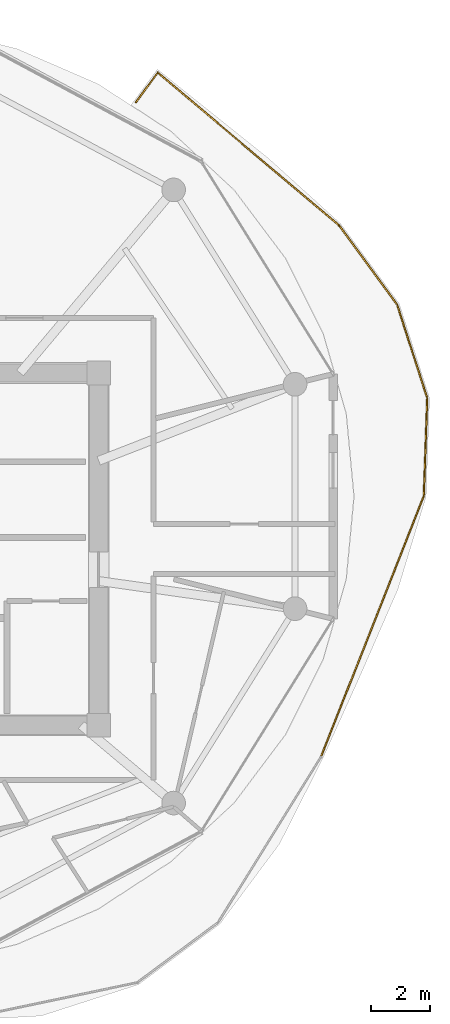
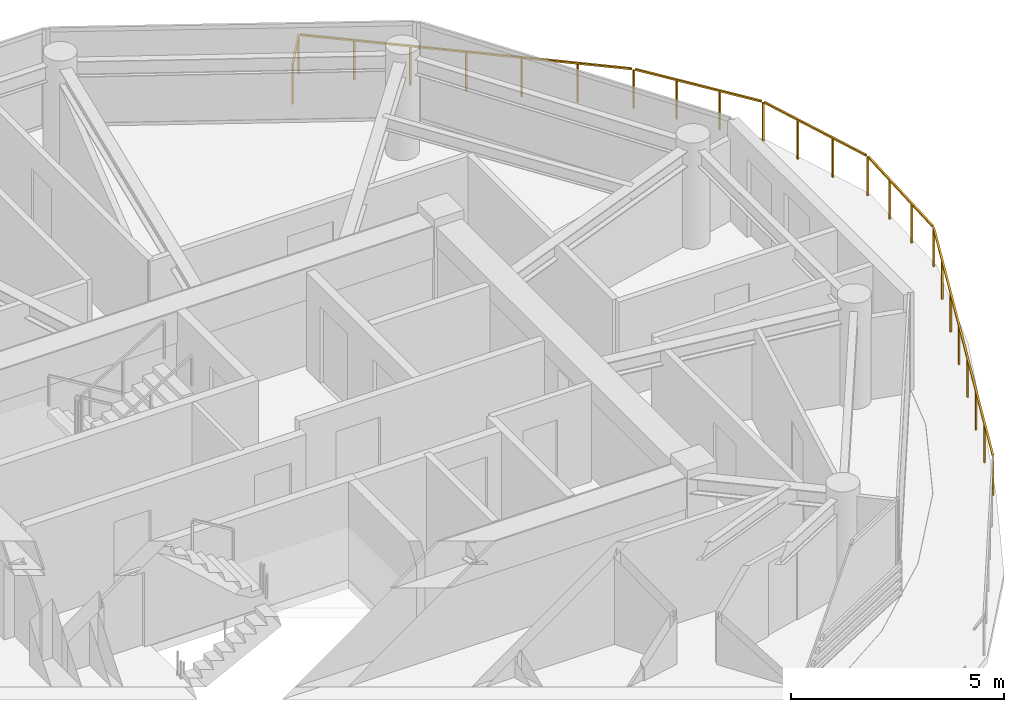
# One storey, part 23 of 23: 1 railing.
"""IFC4 building model written with IfcOpenShell, lengths in metres."""

from ifc_helpers import new_model, si_unit, direction, frame, origin, origin_2d, place, context, subcontext, project, spatial, rectangle, extrude, material, type_object, element, save


model = new_model("IFC4")

# Units and contexts
model_context = context("Model", 3, precision=1e-05, world=origin(), true_north=direction((0.0, 1.0)))
body_context = subcontext(model_context, "Body", "Model", "MODEL_VIEW")
ifc_project = project(units=[si_unit("LENGTHUNIT", "METRE"), si_unit("AREAUNIT", "SQUARE_METRE"), si_unit("VOLUMEUNIT", "CUBIC_METRE"), si_unit("PLANEANGLEUNIT", "RADIAN"), si_unit("MASSUNIT", "GRAM", prefix="KILO")], contexts=[model_context])

# Site, building, storey
site_placement = place(None, origin())
site = spatial("IfcSite", under=ifc_project, at=site_placement, CompositionType="ELEMENT")
building_placement = place(site_placement, origin())
building = spatial("IfcBuilding", under=site, at=building_placement, Name="Norrkilde Senior Care Towers", CompositionType="ELEMENT")
storey_placement = place(building_placement, frame((0.0, 0.0, 158.699951171875)))
storey = spatial("IfcBuildingStorey", under=building, at=storey_placement, Name="L49", CompositionType="ELEMENT", Elevation=158.699951171875)

# Railing
ifc_material = material(Name="Anodised Aluminium", Category="aluminium")
railing_type = type_object("IfcRailingType", Name="Balcony Swirl Ribbon Guardrail 1150", PredefinedType="GUARDRAIL", material=ifc_material)
railing_placement = place(storey_placement, frame((36.90869140625, 15.0966796875, 0.0)))
element("IfcRailing", 1, at=railing_placement, inside=storey, type_object=railing_type, Name="L49 Perimeter Safety Guard 02", PredefinedType="GUARDRAIL", context=body_context, shape_type="SweptSolid", body=[
    extrude(rectangle(XDim=0.048095703125, YDim=0.048095703125, at=origin_2d()), frame((0.0, 0.0, 1.1259765625), z_axis=(0.593861368249, 0.804567383941, 0.0), x_axis=(-0.804567383941, 0.593861368249, 0.0)), (0.0, 0.0, 1.0), 1.20361328125),
    extrude(rectangle(XDim=0.048095703125, YDim=0.048095703125, at=origin_2d()), frame((0.770263671875, 0.974853515625, 1.1259765625), z_axis=(0.764538814851, -0.64457769166, 0.0), x_axis=(0.64457769166, 0.764538814851, 0.0)), (0.0, 0.0, 1.0), 7.9287109375),
    extrude(rectangle(XDim=0.048095703125, YDim=0.048095703125, at=origin_2d()), frame((6.887451171875, -4.195068359375, 1.1259765625), z_axis=(0.591067517742, -0.806622085905, 0.0), x_axis=(0.806622085905, 0.591067517742, 0.0)), (0.0, 0.0, 1.0), 3.242431640625),
    extrude(rectangle(XDim=0.048095703125, YDim=0.048095703125, at=origin_2d()), frame((8.840576171875, -6.88232421875, 1.1259765625), z_axis=(0.305811477644, -0.952092085957, 0.0), x_axis=(0.952092085957, 0.305811477644, 0.0)), (0.0, 0.0, 1.0), 3.236083984375),
    extrude(rectangle(XDim=0.048095703125, YDim=0.048095703125, at=origin_2d()), frame((9.84130859375, -10.043212890625, 1.1259765625), z_axis=(-0.034985954147, -0.999387804114, 0.0), x_axis=(0.999387804114, -0.034985954147, 0.0)), (0.0, 0.0, 1.0), 3.225830078125),
    extrude(rectangle(XDim=0.048095703125, YDim=0.048095703125, at=origin_2d()), frame((9.712158203125, -13.34619140625, 1.1259765625), z_axis=(-0.366879185242, -0.930268597469, 0.0), x_axis=(0.930268597469, -0.366879185242, 0.0)), (0.0, 0.0, 1.0), 9.4384765625),
    extrude(rectangle(XDim=0.0419921875, YDim=0.0419921875, at=origin_2d()), origin(), (0.0, 0.0, 1.0), 1.099853515625),
    extrude(rectangle(XDim=0.0419921875, YDim=0.0419921875, at=origin_2d()), frame((0.739013671875, 1.001220703125, 0.0)), (0.0, 0.0, 1.0), 1.099853515625),
    extrude(rectangle(XDim=0.0419921875, YDim=0.0419921875, at=origin_2d()), frame((1.759765625, 0.140625, 0.0)), (0.0, 0.0, 1.0), 1.099853515625),
    extrude(rectangle(XDim=0.0419921875, YDim=0.0419921875, at=origin_2d()), frame((2.780517578125, -0.719970703125, 0.0)), (0.0, 0.0, 1.0), 1.099853515625),
    extrude(rectangle(XDim=0.0419921875, YDim=0.0419921875, at=origin_2d()), frame((3.80126953125, -1.58056640625, 0.0)), (0.0, 0.0, 1.0), 1.099853515625),
    extrude(rectangle(XDim=0.0419921875, YDim=0.0419921875, at=origin_2d()), frame((4.82177734375, -2.44091796875, 0.0)), (0.0, 0.0, 1.0), 1.099853515625),
    extrude(rectangle(XDim=0.0419921875, YDim=0.0419921875, at=origin_2d()), frame((5.842529296875, -3.301513671875, 0.0)), (0.0, 0.0, 1.0), 1.099853515625),
    extrude(rectangle(XDim=0.0419921875, YDim=0.0419921875, at=origin_2d()), frame((6.86328125, -4.162109375, 0.0)), (0.0, 0.0, 1.0), 1.099853515625),
    extrude(rectangle(XDim=0.0419921875, YDim=0.0419921875, at=origin_2d()), frame((7.518310546875, -5.055908203125, 0.0)), (0.0, 0.0, 1.0), 1.099853515625),
    extrude(rectangle(XDim=0.0419921875, YDim=0.0419921875, at=origin_2d()), frame((8.173095703125, -5.94970703125, 0.0)), (0.0, 0.0, 1.0), 1.099853515625),
    extrude(rectangle(XDim=0.0419921875, YDim=0.0419921875, at=origin_2d()), frame((8.828125, -6.843505859375, 0.0)), (0.0, 0.0, 1.0), 1.099853515625),
    extrude(rectangle(XDim=0.0419921875, YDim=0.0419921875, at=origin_2d()), frame((9.166259765625, -7.896484375, 0.0)), (0.0, 0.0, 1.0), 1.099853515625),
    extrude(rectangle(XDim=0.0419921875, YDim=0.0419921875, at=origin_2d()), frame((9.504638671875, -8.949462890625, 0.0)), (0.0, 0.0, 1.0), 1.099853515625),
    extrude(rectangle(XDim=0.0419921875, YDim=0.0419921875, at=origin_2d()), frame((9.8427734375, -10.00244140625, 0.0)), (0.0, 0.0, 1.0), 1.099853515625),
    extrude(rectangle(XDim=0.0419921875, YDim=0.0419921875, at=origin_2d()), frame((9.80419921875, -11.104248046875, 0.0)), (0.0, 0.0, 1.0), 1.099853515625),
    extrude(rectangle(XDim=0.0419921875, YDim=0.0419921875, at=origin_2d()), frame((9.765625, -12.206298828125, 0.0)), (0.0, 0.0, 1.0), 1.099853515625),
    extrude(rectangle(XDim=0.0419921875, YDim=0.0419921875, at=origin_2d()), frame((9.72705078125, -13.30810546875, 0.0)), (0.0, 0.0, 1.0), 1.099853515625),
    extrude(rectangle(XDim=0.0419921875, YDim=0.0419921875, at=origin_2d()), frame((9.230224609375, -14.56787109375, 0.0)), (0.0, 0.0, 1.0), 1.099853515625),
    extrude(rectangle(XDim=0.0419921875, YDim=0.0419921875, at=origin_2d()), frame((8.7333984375, -15.82763671875, 0.0)), (0.0, 0.0, 1.0), 1.099853515625),
    extrude(rectangle(XDim=0.0419921875, YDim=0.0419921875, at=origin_2d()), frame((8.236572265625, -17.08740234375, 0.0)), (0.0, 0.0, 1.0), 1.099853515625),
    extrude(rectangle(XDim=0.0419921875, YDim=0.0419921875, at=origin_2d()), frame((7.73974609375, -18.34716796875, 0.0)), (0.0, 0.0, 1.0), 1.099853515625),
    extrude(rectangle(XDim=0.0419921875, YDim=0.0419921875, at=origin_2d()), frame((7.242919921875, -19.60693359375, 0.0)), (0.0, 0.0, 1.0), 1.099853515625),
    extrude(rectangle(XDim=0.0419921875, YDim=0.0419921875, at=origin_2d()), frame((6.74609375, -20.86669921875, 0.0)), (0.0, 0.0, 1.0), 1.099853515625),
    extrude(rectangle(XDim=0.0419921875, YDim=0.0419921875, at=origin_2d()), frame((6.249267578125, -22.12646484375, 0.0)), (0.0, 0.0, 1.0), 1.099853515625),
])

save(model, "model.ifc")
